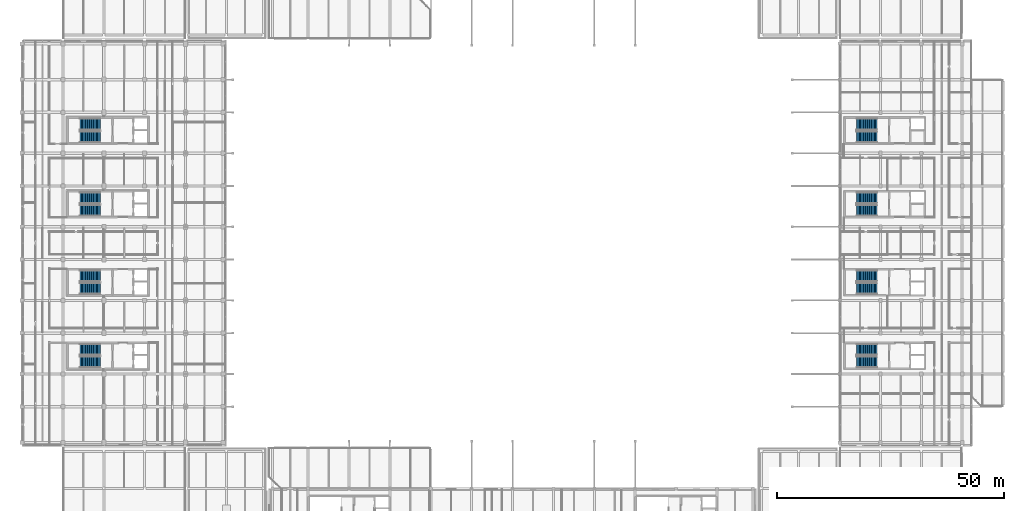
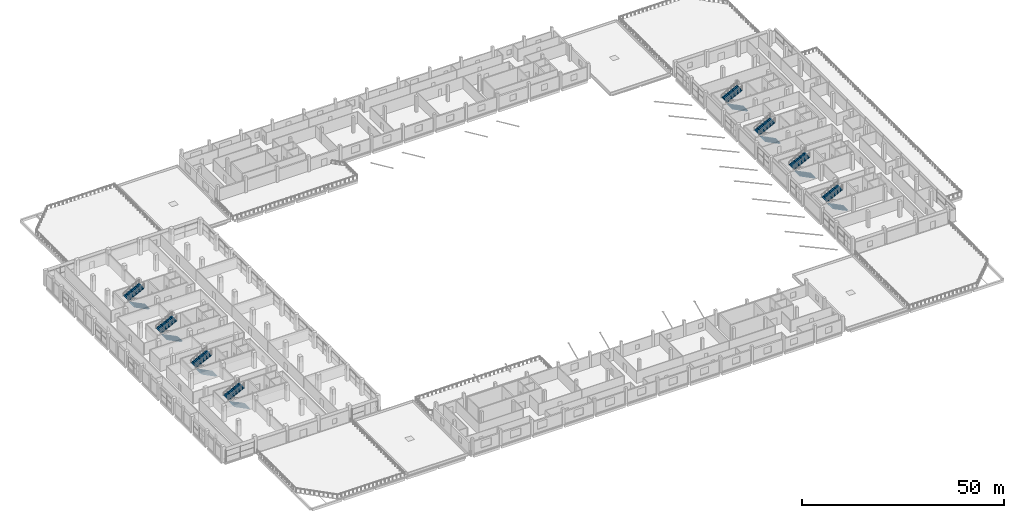
# One storey, part 62 of 82: 16 stair flights, 8 elements without a shape of their own.
"""IFC4 building model written with IfcOpenShell, lengths in metres."""

import ifcopenshell
import ifcopenshell.guid

model = None  # the IFC model being written
_history = None  # IfcOwnerHistory: only IFC2X3 demands one
_inside = {}  # id of a spatial element -> (the spatial element, [elements in it])
_under = {}  # id of a project, library or spatial element -> (it, [spatial elements below it])
_declared = {}  # id of a project -> (the project, [libraries it declares])
_typed = {}  # id of a type object -> (the type object, [elements of that type])
_made_of = {}  # id of a material, layer set ... -> (it, [elements and type objects made of it])


def new_model(schema):
    """Start an empty IFC model of exactly this schema.

    Asked for "IFC4X3", IfcOpenShell would pick the latest addendum, in which some entities
    have other attributes; the version numbers below select the first issue.
    IFC2X3 requires an IfcOwnerHistory on every rooted entity: one is made here for all.
    """
    global model, _history
    if schema == "IFC4X3":
        model = ifcopenshell.file(schema_version=(4, 3, 0, 0))
    else:
        model = ifcopenshell.file(schema=schema)
    _inside.clear()
    _under.clear()
    _declared.clear()
    _typed.clear()
    _made_of.clear()
    _history = None
    if model.schema == "IFC2X3":
        org = make("IfcOrganization", Name="unknown")
        user = make(
            "IfcPersonAndOrganization",
            ThePerson=make("IfcPerson", FamilyName="unknown"),
            TheOrganization=org,
        )
        app = make(
            "IfcApplication",
            ApplicationDeveloper=org,
            Version="unknown",
            ApplicationFullName="unknown",
            ApplicationIdentifier="unknown",
        )
        _history = make(
            "IfcOwnerHistory",
            OwningUser=user,
            OwningApplication=app,
            ChangeAction="ADDED",
            CreationDate=0,
        )
    return model


def make(cls, **values):
    """One entity of the class cls with the attributes given. An attribute that is None is left unset."""
    return model.create_entity(
        cls, **{name: value for name, value in values.items() if value is not None}
    )


def rooted(cls, **values):
    """An entity with a GlobalId (a new one), such as an element, a storey or a relation."""
    return make(cls, GlobalId=ifcopenshell.guid.new(), OwnerHistory=_history, **values)


def si_unit(unit_type, name, prefix=None):
    """IfcSIUnit, for example si_unit("LENGTHUNIT", "METRE", prefix="MILLI")."""
    return make("IfcSIUnit", UnitType=unit_type, Prefix=prefix, Name=name)


def assignment(units):
    """IfcUnitAssignment: the units of a project."""
    return None if units is None else make("IfcUnitAssignment", Units=units)


def point(xyz):
    """IfcCartesianPoint."""
    return None if xyz is None else make("IfcCartesianPoint", Coordinates=xyz)


def direction(xyz):
    """IfcDirection."""
    return None if xyz is None else make("IfcDirection", DirectionRatios=xyz)


def frame(location, z_axis=None, x_axis=None):
    """IfcAxis2Placement3D, a coordinate frame: its origin and axes. An axis left out is left unset."""
    return make(
        "IfcAxis2Placement3D",
        Location=point(location),
        Axis=direction(z_axis),
        RefDirection=direction(x_axis),
    )


def origin():
    """The frame at (0, 0, 0) with its axes left unset."""
    return frame((0.0, 0.0, 0.0))


def place(relative_to, where):
    """IfcLocalPlacement: puts the frame where relative to a parent placement (None: the world)."""
    return make(
        "IfcLocalPlacement", PlacementRelTo=relative_to, RelativePlacement=where
    )


def context(
    kind, dimensions, precision=None, world=None, true_north=None, identifier=None
):
    """IfcGeometricRepresentationContext, for example the 3D "Model" context."""
    return make(
        "IfcGeometricRepresentationContext",
        ContextIdentifier=identifier,
        ContextType=kind,
        CoordinateSpaceDimension=dimensions,
        Precision=precision,
        WorldCoordinateSystem=world,
        TrueNorth=true_north,
    )


def subcontext(parent, identifier, kind, view, scale=None):
    """IfcGeometricRepresentationSubContext, for example "Body" below "Model"."""
    return make(
        "IfcGeometricRepresentationSubContext",
        ContextIdentifier=identifier,
        ContextType=kind,
        ParentContext=parent,
        TargetScale=scale,
        TargetView=view,
    )


def project(units=None, contexts=None):
    """IfcProject with its units and contexts."""
    return rooted(
        "IfcProject",
        Name="project",
        RepresentationContexts=contexts,
        UnitsInContext=assignment(units),
    )


def spatial(cls, under=None, at=None, **own):
    """A site, building, storey or space (cls), placed at a placement, below another one or the project."""
    s = rooted(cls, ObjectPlacement=at, **own)
    if under is not None:
        _under.setdefault(under.id(), (under, []))[1].append(s)
    return s


def polyline(points):
    """IfcPolyline through the points."""
    return make("IfcPolyline", Points=[point(p) for p in points])


def outline(outer, holes=None, kind="AREA"):
    """IfcArbitraryClosedProfileDef: a profile drawn as a closed curve; with holes, ...WithVoids."""
    if holes is None:
        return make("IfcArbitraryClosedProfileDef", ProfileType=kind, OuterCurve=outer)
    return make(
        "IfcArbitraryProfileDefWithVoids",
        ProfileType=kind,
        OuterCurve=outer,
        InnerCurves=holes,
    )


def extrude(swept, where, along, depth):
    """IfcExtrudedAreaSolid: the profile swept, set in the frame where, extruded along a direction by depth."""
    return make(
        "IfcExtrudedAreaSolid",
        SweptArea=swept,
        Position=where,
        ExtrudedDirection=direction(along),
        Depth=depth,
    )


def shape(context_of_items, identifier, shape_type, items):
    """IfcShapeRepresentation: the items that make up one representation, for example the "Body"."""
    return make(
        "IfcShapeRepresentation",
        ContextOfItems=context_of_items,
        RepresentationIdentifier=identifier,
        RepresentationType=shape_type,
        Items=items,
    )


def material(Name=None, Category=None):
    """IfcMaterial."""
    return make("IfcMaterial", Name=Name, Category=Category)


def made_of(thing, what):
    """Note that an element or type object is made of a material, layer set ...; save() writes the relation."""
    if what is not None:
        _made_of.setdefault(what.id(), (what, []))[1].append(thing)
    return thing


def type_object(cls, material=None, **own):
    """A type object (cls), such as IfcWallType, which elements share."""
    return made_of(rooted(cls, **own), material)


def element(
    cls,
    number,
    at=None,
    inside=None,
    cuts=None,
    type_object=None,
    material=None,
    context=None,
    identifier="Body",
    shape_type=None,
    held_by="IfcProductDefinitionShape",
    body=None,
    shapes=None,
    **own,
):
    """One element of the class cls, such as IfcWall. Its Tag is "e" and its number.

    at: its placement. inside: the storey or other place that contains it. cuts: it is an
    opening in that element (IfcRelVoidsElement). A single representation is given by context,
    identifier, shape_type and body (its items); several are given by shapes. held_by: the class
    of the entity that holds the representations. save() writes the other relations.
    """
    e = rooted(cls, Tag="e%d" % number, ObjectPlacement=at, **own)
    if body is not None:
        shapes = [shape(context, identifier, shape_type, body)]
    if shapes is not None:
        e.Representation = make(held_by, Representations=shapes)
    if inside is not None:
        _inside.setdefault(inside.id(), (inside, []))[1].append(e)
    if cuts is not None:
        rooted(
            "IfcRelVoidsElement", RelatingBuildingElement=cuts, RelatedOpeningElement=e
        )
    if type_object is not None:
        _typed.setdefault(type_object.id(), (type_object, []))[1].append(e)
    return made_of(e, material)


def aggregate(whole, parts):
    """IfcRelAggregates: a whole, such as a stair, and the parts it consists of."""
    return rooted("IfcRelAggregates", RelatingObject=whole, RelatedObjects=parts)


def save(model, path):
    """Write the relations noted so far, then the file.

    IfcRelAggregates (storeys below a building ...), IfcRelContainedInSpatialStructure (elements
    in a storey), IfcRelDefinesByType, IfcRelAssociatesMaterial and IfcRelDeclares: one each for
    every whole, place, type object, material and project.
    """
    for whole, parts in _under.values():
        aggregate(whole, parts)
    for where, things in _inside.values():
        rooted(
            "IfcRelContainedInSpatialStructure",
            RelatedElements=things,
            RelatingStructure=where,
        )
    for kind, things in _typed.values():
        rooted("IfcRelDefinesByType", RelatedObjects=things, RelatingType=kind)
    for what, things in _made_of.values():
        rooted("IfcRelAssociatesMaterial", RelatedObjects=things, RelatingMaterial=what)
    for by, libraries in _declared.values():
        rooted("IfcRelDeclares", RelatingContext=by, RelatedDefinitions=libraries)
    model.write(path)


model = new_model("IFC4")

# Units and contexts
model_context = context("Model", 3, precision=1e-05, world=origin(), true_north=direction((0.0, 1.0)))
body_context = subcontext(model_context, "Body", "Model", "MODEL_VIEW")
ifc_project = project(units=[si_unit("LENGTHUNIT", "METRE"), si_unit("AREAUNIT", "SQUARE_METRE"), si_unit("VOLUMEUNIT", "CUBIC_METRE"), si_unit("PLANEANGLEUNIT", "RADIAN"), si_unit("MASSUNIT", "GRAM", prefix="KILO"), si_unit("THERMODYNAMICTEMPERATUREUNIT", "KELVIN"), si_unit("POWERUNIT", "WATT")], contexts=[model_context])

# Site, building, storey
site_placement = place(None, origin())
site = spatial("IfcSite", under=ifc_project, at=site_placement, CompositionType="ELEMENT")
building_placement = place(site_placement, origin())
building = spatial("IfcBuilding", under=site, at=building_placement, Name="Sindhuravela Promenade Stadium", CompositionType="ELEMENT")
storey_placement = place(building_placement, frame((0.0, 0.0, 14.39990234375)))
storey = spatial("IfcBuildingStorey", under=building, at=storey_placement, Name="L03", CompositionType="ELEMENT", Elevation=14.39990234375)

# Stair, stair flights
ifc_material = material(Name="Concrete M40", Category="concrete")
stair_type = type_object("IfcStairType", Name="ST-CORE-DOGLEG", PredefinedType="HALF_TURN_STAIR", material=ifc_material)
stair_1_placement = place(storey_placement, origin())
stair_1 = element("IfcStair", 1, at=stair_1_placement, inside=storey, type_object=stair_type, Name="Protected escape stair ST01 (L03)", PredefinedType="HALF_TURN_STAIR")
stair_flight_type = type_object("IfcStairFlightType", Name="SF-CORE-2400", PredefinedType="STRAIGHT", material=ifc_material)
stair_flight_1_placement = place(storey_placement, frame((17.25, 54.7900390625, 0.0), z_axis=(0.0, 0.0, 1.0), x_axis=(-1.0, 0.0, 0.0)))
stair_flight_1 = element("IfcStairFlight", 2, at=stair_flight_1_placement, type_object=stair_flight_type, Name="Stair ST01 lower flight (L03)", NumberOfRisers=16, NumberOfTreads=15, PredefinedType="STRAIGHT", RiserHeight=0.15, TreadLength=0.3, context=body_context, shape_type="SweptSolid", body=[
    extrude(outline(polyline([(0.0, 0.0), (0.0, 0.14990234375), (0.300048828125, 0.14990234375), (0.300048828125, 0.300048828125), (0.60009765625, 0.300048828125), (0.60009765625, 0.449951171875), (0.89990234375, 0.449951171875), (0.89990234375, 0.60009765625), (1.199951171875, 0.60009765625), (1.199951171875, 0.75), (1.5, 0.75), (1.5, 0.89990234375), (1.800048828125, 0.89990234375), (1.800048828125, 1.050048828125), (2.10009765625, 1.050048828125), (2.10009765625, 1.199951171875), (2.39990234375, 1.199951171875), (2.39990234375, 1.35009765625), (2.699951171875, 1.35009765625), (2.699951171875, 1.5), (3.0, 1.5), (3.0, 1.64990234375), (3.300048828125, 1.64990234375), (3.300048828125, 1.800048828125), (3.60009765625, 1.800048828125), (3.60009765625, 1.949951171875), (3.89990234375, 1.949951171875), (3.89990234375, 2.10009765625), (4.199951171875, 2.10009765625), (4.199951171875, 2.25), (4.5, 2.25), (4.5, 2.39990234375), (4.5, 2.0263671875), (0.447021484375, 0.0), (0.0, 0.0)])), frame((0.0, 1.25, 0.0), z_axis=(0.0, -1.0, 0.0), x_axis=(1.0, 0.0, 0.0)), (0.0, 0.0, 1.0), 2.5),
])
stair_flight_2_placement = place(storey_placement, frame((12.75, 57.610107421875, 2.400146484375), z_axis=(0.0, 0.0, 1.0), x_axis=(1.0, 0.0, 0.0)))
stair_flight_2 = element("IfcStairFlight", 3, at=stair_flight_2_placement, type_object=stair_flight_type, Name="Stair ST01 upper flight (L03)", NumberOfRisers=16, NumberOfTreads=15, PredefinedType="STRAIGHT", RiserHeight=0.15, TreadLength=0.3, context=body_context, shape_type="SweptSolid", body=[
    extrude(outline(polyline([(0.0, 0.0), (0.0, 0.14990234375), (0.300048828125, 0.14990234375), (0.300048828125, 0.300048828125), (0.60009765625, 0.300048828125), (0.60009765625, 0.449951171875), (0.89990234375, 0.449951171875), (0.89990234375, 0.60009765625), (1.199951171875, 0.60009765625), (1.199951171875, 0.75), (1.5, 0.75), (1.5, 0.89990234375), (1.800048828125, 0.89990234375), (1.800048828125, 1.050048828125), (2.10009765625, 1.050048828125), (2.10009765625, 1.199951171875), (2.39990234375, 1.199951171875), (2.39990234375, 1.35009765625), (2.699951171875, 1.35009765625), (2.699951171875, 1.5), (3.0, 1.5), (3.0, 1.64990234375), (3.300048828125, 1.64990234375), (3.300048828125, 1.800048828125), (3.60009765625, 1.800048828125), (3.60009765625, 1.949951171875), (3.89990234375, 1.949951171875), (3.89990234375, 2.10009765625), (4.199951171875, 2.10009765625), (4.199951171875, 2.25), (4.5, 2.25), (4.5, 2.39990234375), (4.5, 2.0263671875), (0.447021484375, 0.0), (0.0, 0.0)])), frame((0.0, 1.25, 0.0), z_axis=(0.0, -1.0, 0.0), x_axis=(1.0, 0.0, 0.0)), (0.0, 0.0, 1.0), 2.5),
])
aggregate(stair_1, [stair_flight_1, stair_flight_2])

stair_2_placement = place(storey_placement, origin())
stair_2 = element("IfcStair", 4, at=stair_2_placement, inside=storey, type_object=stair_type, Name="Protected escape stair ST02 (L03)", PredefinedType="HALF_TURN_STAIR")
stair_flight_3_placement = place(storey_placement, frame((17.25, 70.989990234375, 0.0), z_axis=(0.0, 0.0, 1.0), x_axis=(-1.0, 0.0, 0.0)))
stair_flight_3 = element("IfcStairFlight", 5, at=stair_flight_3_placement, type_object=stair_flight_type, Name="Stair ST02 lower flight (L03)", NumberOfRisers=16, NumberOfTreads=15, PredefinedType="STRAIGHT", RiserHeight=0.15, TreadLength=0.3, context=body_context, shape_type="SweptSolid", body=[
    extrude(outline(polyline([(0.0, 0.0), (0.0, 0.14990234375), (0.300048828125, 0.14990234375), (0.300048828125, 0.300048828125), (0.60009765625, 0.300048828125), (0.60009765625, 0.449951171875), (0.89990234375, 0.449951171875), (0.89990234375, 0.60009765625), (1.199951171875, 0.60009765625), (1.199951171875, 0.75), (1.5, 0.75), (1.5, 0.89990234375), (1.800048828125, 0.89990234375), (1.800048828125, 1.050048828125), (2.10009765625, 1.050048828125), (2.10009765625, 1.199951171875), (2.39990234375, 1.199951171875), (2.39990234375, 1.35009765625), (2.699951171875, 1.35009765625), (2.699951171875, 1.5), (3.0, 1.5), (3.0, 1.64990234375), (3.300048828125, 1.64990234375), (3.300048828125, 1.800048828125), (3.60009765625, 1.800048828125), (3.60009765625, 1.949951171875), (3.89990234375, 1.949951171875), (3.89990234375, 2.10009765625), (4.199951171875, 2.10009765625), (4.199951171875, 2.25), (4.5, 2.25), (4.5, 2.39990234375), (4.5, 2.0263671875), (0.447021484375, 0.0), (0.0, 0.0)])), frame((0.0, 1.25, 0.0), z_axis=(0.0, -1.0, 0.0), x_axis=(1.0, 0.0, 0.0)), (0.0, 0.0, 1.0), 2.5),
])
stair_flight_4_placement = place(storey_placement, frame((12.75, 73.81005859375, 2.400146484375), z_axis=(0.0, 0.0, 1.0), x_axis=(1.0, 0.0, 0.0)))
stair_flight_4 = element("IfcStairFlight", 6, at=stair_flight_4_placement, type_object=stair_flight_type, Name="Stair ST02 upper flight (L03)", NumberOfRisers=16, NumberOfTreads=15, PredefinedType="STRAIGHT", RiserHeight=0.15, TreadLength=0.3, context=body_context, shape_type="SweptSolid", body=[
    extrude(outline(polyline([(0.0, 0.0), (0.0, 0.14990234375), (0.300048828125, 0.14990234375), (0.300048828125, 0.300048828125), (0.60009765625, 0.300048828125), (0.60009765625, 0.449951171875), (0.89990234375, 0.449951171875), (0.89990234375, 0.60009765625), (1.199951171875, 0.60009765625), (1.199951171875, 0.75), (1.5, 0.75), (1.5, 0.89990234375), (1.800048828125, 0.89990234375), (1.800048828125, 1.050048828125), (2.10009765625, 1.050048828125), (2.10009765625, 1.199951171875), (2.39990234375, 1.199951171875), (2.39990234375, 1.35009765625), (2.699951171875, 1.35009765625), (2.699951171875, 1.5), (3.0, 1.5), (3.0, 1.64990234375), (3.300048828125, 1.64990234375), (3.300048828125, 1.800048828125), (3.60009765625, 1.800048828125), (3.60009765625, 1.949951171875), (3.89990234375, 1.949951171875), (3.89990234375, 2.10009765625), (4.199951171875, 2.10009765625), (4.199951171875, 2.25), (4.5, 2.25), (4.5, 2.39990234375), (4.5, 2.0263671875), (0.447021484375, 0.0), (0.0, 0.0)])), frame((0.0, 1.25, 0.0), z_axis=(0.0, -1.0, 0.0), x_axis=(1.0, 0.0, 0.0)), (0.0, 0.0, 1.0), 2.5),
])
aggregate(stair_2, [stair_flight_3, stair_flight_4])

stair_3_placement = place(storey_placement, origin())
stair_3 = element("IfcStair", 7, at=stair_3_placement, inside=storey, type_object=stair_type, Name="Protected escape stair ST03 (L03)", PredefinedType="HALF_TURN_STAIR")
stair_flight_5_placement = place(storey_placement, frame((17.25, 88.18994140625, 0.0), z_axis=(0.0, 0.0, 1.0), x_axis=(-1.0, 0.0, 0.0)))
stair_flight_5 = element("IfcStairFlight", 8, at=stair_flight_5_placement, type_object=stair_flight_type, Name="Stair ST03 lower flight (L03)", NumberOfRisers=16, NumberOfTreads=15, PredefinedType="STRAIGHT", RiserHeight=0.15, TreadLength=0.3, context=body_context, shape_type="SweptSolid", body=[
    extrude(outline(polyline([(0.0, 0.0), (0.0, 0.14990234375), (0.300048828125, 0.14990234375), (0.300048828125, 0.300048828125), (0.60009765625, 0.300048828125), (0.60009765625, 0.449951171875), (0.89990234375, 0.449951171875), (0.89990234375, 0.60009765625), (1.199951171875, 0.60009765625), (1.199951171875, 0.75), (1.5, 0.75), (1.5, 0.89990234375), (1.800048828125, 0.89990234375), (1.800048828125, 1.050048828125), (2.10009765625, 1.050048828125), (2.10009765625, 1.199951171875), (2.39990234375, 1.199951171875), (2.39990234375, 1.35009765625), (2.699951171875, 1.35009765625), (2.699951171875, 1.5), (3.0, 1.5), (3.0, 1.64990234375), (3.300048828125, 1.64990234375), (3.300048828125, 1.800048828125), (3.60009765625, 1.800048828125), (3.60009765625, 1.949951171875), (3.89990234375, 1.949951171875), (3.89990234375, 2.10009765625), (4.199951171875, 2.10009765625), (4.199951171875, 2.25), (4.5, 2.25), (4.5, 2.39990234375), (4.5, 2.0263671875), (0.447021484375, 0.0), (0.0, 0.0)])), frame((0.0, 1.25, 0.0), z_axis=(0.0, -1.0, 0.0), x_axis=(1.0, 0.0, 0.0)), (0.0, 0.0, 1.0), 2.5),
])
stair_flight_6_placement = place(storey_placement, frame((12.75, 91.010009765625, 2.400146484375), z_axis=(0.0, 0.0, 1.0), x_axis=(1.0, 0.0, 0.0)))
stair_flight_6 = element("IfcStairFlight", 9, at=stair_flight_6_placement, type_object=stair_flight_type, Name="Stair ST03 upper flight (L03)", NumberOfRisers=16, NumberOfTreads=15, PredefinedType="STRAIGHT", RiserHeight=0.15, TreadLength=0.3, context=body_context, shape_type="SweptSolid", body=[
    extrude(outline(polyline([(0.0, 0.0), (0.0, 0.14990234375), (0.300048828125, 0.14990234375), (0.300048828125, 0.300048828125), (0.60009765625, 0.300048828125), (0.60009765625, 0.449951171875), (0.89990234375, 0.449951171875), (0.89990234375, 0.60009765625), (1.199951171875, 0.60009765625), (1.199951171875, 0.75), (1.5, 0.75), (1.5, 0.89990234375), (1.800048828125, 0.89990234375), (1.800048828125, 1.050048828125), (2.10009765625, 1.050048828125), (2.10009765625, 1.199951171875), (2.39990234375, 1.199951171875), (2.39990234375, 1.35009765625), (2.699951171875, 1.35009765625), (2.699951171875, 1.5), (3.0, 1.5), (3.0, 1.64990234375), (3.300048828125, 1.64990234375), (3.300048828125, 1.800048828125), (3.60009765625, 1.800048828125), (3.60009765625, 1.949951171875), (3.89990234375, 1.949951171875), (3.89990234375, 2.10009765625), (4.199951171875, 2.10009765625), (4.199951171875, 2.25), (4.5, 2.25), (4.5, 2.39990234375), (4.5, 2.0263671875), (0.447021484375, 0.0), (0.0, 0.0)])), frame((0.0, 1.25, 0.0), z_axis=(0.0, -1.0, 0.0), x_axis=(1.0, 0.0, 0.0)), (0.0, 0.0, 1.0), 2.5),
])
aggregate(stair_3, [stair_flight_5, stair_flight_6])

stair_4_placement = place(storey_placement, origin())
stair_4 = element("IfcStair", 10, at=stair_4_placement, inside=storey, type_object=stair_type, Name="Protected escape stair ST04 (L03)", PredefinedType="HALF_TURN_STAIR")
stair_flight_7_placement = place(storey_placement, frame((17.25, 104.389892578125, 0.0), z_axis=(0.0, 0.0, 1.0), x_axis=(-1.0, 0.0, 0.0)))
stair_flight_7 = element("IfcStairFlight", 11, at=stair_flight_7_placement, type_object=stair_flight_type, Name="Stair ST04 lower flight (L03)", NumberOfRisers=16, NumberOfTreads=15, PredefinedType="STRAIGHT", RiserHeight=0.15, TreadLength=0.3, context=body_context, shape_type="SweptSolid", body=[
    extrude(outline(polyline([(0.0, 0.0), (0.0, 0.14990234375), (0.300048828125, 0.14990234375), (0.300048828125, 0.300048828125), (0.60009765625, 0.300048828125), (0.60009765625, 0.449951171875), (0.89990234375, 0.449951171875), (0.89990234375, 0.60009765625), (1.199951171875, 0.60009765625), (1.199951171875, 0.75), (1.5, 0.75), (1.5, 0.89990234375), (1.800048828125, 0.89990234375), (1.800048828125, 1.050048828125), (2.10009765625, 1.050048828125), (2.10009765625, 1.199951171875), (2.39990234375, 1.199951171875), (2.39990234375, 1.35009765625), (2.699951171875, 1.35009765625), (2.699951171875, 1.5), (3.0, 1.5), (3.0, 1.64990234375), (3.300048828125, 1.64990234375), (3.300048828125, 1.800048828125), (3.60009765625, 1.800048828125), (3.60009765625, 1.949951171875), (3.89990234375, 1.949951171875), (3.89990234375, 2.10009765625), (4.199951171875, 2.10009765625), (4.199951171875, 2.25), (4.5, 2.25), (4.5, 2.39990234375), (4.5, 2.0263671875), (0.447021484375, 0.0), (0.0, 0.0)])), frame((0.0, 1.25, 0.0), z_axis=(0.0, -1.0, 0.0), x_axis=(1.0, 0.0, 0.0)), (0.0, 0.0, 1.0), 2.5),
])
stair_flight_8_placement = place(storey_placement, frame((12.75, 107.2099609375, 2.400146484375), z_axis=(0.0, 0.0, 1.0), x_axis=(1.0, 0.0, 0.0)))
stair_flight_8 = element("IfcStairFlight", 12, at=stair_flight_8_placement, type_object=stair_flight_type, Name="Stair ST04 upper flight (L03)", NumberOfRisers=16, NumberOfTreads=15, PredefinedType="STRAIGHT", RiserHeight=0.15, TreadLength=0.3, context=body_context, shape_type="SweptSolid", body=[
    extrude(outline(polyline([(0.0, 0.0), (0.0, 0.14990234375), (0.300048828125, 0.14990234375), (0.300048828125, 0.300048828125), (0.60009765625, 0.300048828125), (0.60009765625, 0.449951171875), (0.89990234375, 0.449951171875), (0.89990234375, 0.60009765625), (1.199951171875, 0.60009765625), (1.199951171875, 0.75), (1.5, 0.75), (1.5, 0.89990234375), (1.800048828125, 0.89990234375), (1.800048828125, 1.050048828125), (2.10009765625, 1.050048828125), (2.10009765625, 1.199951171875), (2.39990234375, 1.199951171875), (2.39990234375, 1.35009765625), (2.699951171875, 1.35009765625), (2.699951171875, 1.5), (3.0, 1.5), (3.0, 1.64990234375), (3.300048828125, 1.64990234375), (3.300048828125, 1.800048828125), (3.60009765625, 1.800048828125), (3.60009765625, 1.949951171875), (3.89990234375, 1.949951171875), (3.89990234375, 2.10009765625), (4.199951171875, 2.10009765625), (4.199951171875, 2.25), (4.5, 2.25), (4.5, 2.39990234375), (4.5, 2.0263671875), (0.447021484375, 0.0), (0.0, 0.0)])), frame((0.0, 1.25, 0.0), z_axis=(0.0, -1.0, 0.0), x_axis=(1.0, 0.0, 0.0)), (0.0, 0.0, 1.0), 2.5),
])
aggregate(stair_4, [stair_flight_7, stair_flight_8])

stair_5_placement = place(storey_placement, origin())
stair_5 = element("IfcStair", 13, at=stair_5_placement, inside=storey, type_object=stair_type, Name="Protected escape stair ST05 (L03)", PredefinedType="HALF_TURN_STAIR")
stair_flight_9_placement = place(storey_placement, frame((188.25, 54.7900390625, 0.0), z_axis=(0.0, 0.0, 1.0), x_axis=(-1.0, 0.0, 0.0)))
stair_flight_9 = element("IfcStairFlight", 14, at=stair_flight_9_placement, type_object=stair_flight_type, Name="Stair ST05 lower flight (L03)", NumberOfRisers=16, NumberOfTreads=15, PredefinedType="STRAIGHT", RiserHeight=0.15, TreadLength=0.3, context=body_context, shape_type="SweptSolid", body=[
    extrude(outline(polyline([(0.0, 0.0), (0.0, 0.14990234375), (0.300048828125, 0.14990234375), (0.300048828125, 0.300048828125), (0.60009765625, 0.300048828125), (0.60009765625, 0.449951171875), (0.89990234375, 0.449951171875), (0.89990234375, 0.60009765625), (1.199951171875, 0.60009765625), (1.199951171875, 0.75), (1.5, 0.75), (1.5, 0.89990234375), (1.800048828125, 0.89990234375), (1.800048828125, 1.050048828125), (2.10009765625, 1.050048828125), (2.10009765625, 1.199951171875), (2.39990234375, 1.199951171875), (2.39990234375, 1.35009765625), (2.699951171875, 1.35009765625), (2.699951171875, 1.5), (3.0, 1.5), (3.0, 1.64990234375), (3.300048828125, 1.64990234375), (3.300048828125, 1.800048828125), (3.60009765625, 1.800048828125), (3.60009765625, 1.949951171875), (3.89990234375, 1.949951171875), (3.89990234375, 2.10009765625), (4.199951171875, 2.10009765625), (4.199951171875, 2.25), (4.5, 2.25), (4.5, 2.39990234375), (4.5, 2.0263671875), (0.447021484375, 0.0), (0.0, 0.0)])), frame((0.0, 1.25, 0.0), z_axis=(0.0, -1.0, 0.0), x_axis=(1.0, 0.0, 0.0)), (0.0, 0.0, 1.0), 2.5),
])
stair_flight_10_placement = place(storey_placement, frame((183.75, 57.610107421875, 2.400146484375), z_axis=(0.0, 0.0, 1.0), x_axis=(1.0, 0.0, 0.0)))
stair_flight_10 = element("IfcStairFlight", 15, at=stair_flight_10_placement, type_object=stair_flight_type, Name="Stair ST05 upper flight (L03)", NumberOfRisers=16, NumberOfTreads=15, PredefinedType="STRAIGHT", RiserHeight=0.15, TreadLength=0.3, context=body_context, shape_type="SweptSolid", body=[
    extrude(outline(polyline([(0.0, 0.0), (0.0, 0.14990234375), (0.300048828125, 0.14990234375), (0.300048828125, 0.300048828125), (0.60009765625, 0.300048828125), (0.60009765625, 0.449951171875), (0.89990234375, 0.449951171875), (0.89990234375, 0.60009765625), (1.199951171875, 0.60009765625), (1.199951171875, 0.75), (1.5, 0.75), (1.5, 0.89990234375), (1.800048828125, 0.89990234375), (1.800048828125, 1.050048828125), (2.10009765625, 1.050048828125), (2.10009765625, 1.199951171875), (2.39990234375, 1.199951171875), (2.39990234375, 1.35009765625), (2.699951171875, 1.35009765625), (2.699951171875, 1.5), (3.0, 1.5), (3.0, 1.64990234375), (3.300048828125, 1.64990234375), (3.300048828125, 1.800048828125), (3.60009765625, 1.800048828125), (3.60009765625, 1.949951171875), (3.89990234375, 1.949951171875), (3.89990234375, 2.10009765625), (4.199951171875, 2.10009765625), (4.199951171875, 2.25), (4.5, 2.25), (4.5, 2.39990234375), (4.5, 2.0263671875), (0.447021484375, 0.0), (0.0, 0.0)])), frame((0.0, 1.25, 0.0), z_axis=(0.0, -1.0, 0.0), x_axis=(1.0, 0.0, 0.0)), (0.0, 0.0, 1.0), 2.5),
])
aggregate(stair_5, [stair_flight_9, stair_flight_10])

stair_6_placement = place(storey_placement, origin())
stair_6 = element("IfcStair", 16, at=stair_6_placement, inside=storey, type_object=stair_type, Name="Protected escape stair ST06 (L03)", PredefinedType="HALF_TURN_STAIR")
stair_flight_11_placement = place(storey_placement, frame((188.25, 70.989990234375, 0.0), z_axis=(0.0, 0.0, 1.0), x_axis=(-1.0, 0.0, 0.0)))
stair_flight_11 = element("IfcStairFlight", 17, at=stair_flight_11_placement, type_object=stair_flight_type, Name="Stair ST06 lower flight (L03)", NumberOfRisers=16, NumberOfTreads=15, PredefinedType="STRAIGHT", RiserHeight=0.15, TreadLength=0.3, context=body_context, shape_type="SweptSolid", body=[
    extrude(outline(polyline([(0.0, 0.0), (0.0, 0.14990234375), (0.300048828125, 0.14990234375), (0.300048828125, 0.300048828125), (0.60009765625, 0.300048828125), (0.60009765625, 0.449951171875), (0.89990234375, 0.449951171875), (0.89990234375, 0.60009765625), (1.199951171875, 0.60009765625), (1.199951171875, 0.75), (1.5, 0.75), (1.5, 0.89990234375), (1.800048828125, 0.89990234375), (1.800048828125, 1.050048828125), (2.10009765625, 1.050048828125), (2.10009765625, 1.199951171875), (2.39990234375, 1.199951171875), (2.39990234375, 1.35009765625), (2.699951171875, 1.35009765625), (2.699951171875, 1.5), (3.0, 1.5), (3.0, 1.64990234375), (3.300048828125, 1.64990234375), (3.300048828125, 1.800048828125), (3.60009765625, 1.800048828125), (3.60009765625, 1.949951171875), (3.89990234375, 1.949951171875), (3.89990234375, 2.10009765625), (4.199951171875, 2.10009765625), (4.199951171875, 2.25), (4.5, 2.25), (4.5, 2.39990234375), (4.5, 2.0263671875), (0.447021484375, 0.0), (0.0, 0.0)])), frame((0.0, 1.25, 0.0), z_axis=(0.0, -1.0, 0.0), x_axis=(1.0, 0.0, 0.0)), (0.0, 0.0, 1.0), 2.5),
])
stair_flight_12_placement = place(storey_placement, frame((183.75, 73.81005859375, 2.400146484375), z_axis=(0.0, 0.0, 1.0), x_axis=(1.0, 0.0, 0.0)))
stair_flight_12 = element("IfcStairFlight", 18, at=stair_flight_12_placement, type_object=stair_flight_type, Name="Stair ST06 upper flight (L03)", NumberOfRisers=16, NumberOfTreads=15, PredefinedType="STRAIGHT", RiserHeight=0.15, TreadLength=0.3, context=body_context, shape_type="SweptSolid", body=[
    extrude(outline(polyline([(0.0, 0.0), (0.0, 0.14990234375), (0.300048828125, 0.14990234375), (0.300048828125, 0.300048828125), (0.60009765625, 0.300048828125), (0.60009765625, 0.449951171875), (0.89990234375, 0.449951171875), (0.89990234375, 0.60009765625), (1.199951171875, 0.60009765625), (1.199951171875, 0.75), (1.5, 0.75), (1.5, 0.89990234375), (1.800048828125, 0.89990234375), (1.800048828125, 1.050048828125), (2.10009765625, 1.050048828125), (2.10009765625, 1.199951171875), (2.39990234375, 1.199951171875), (2.39990234375, 1.35009765625), (2.699951171875, 1.35009765625), (2.699951171875, 1.5), (3.0, 1.5), (3.0, 1.64990234375), (3.300048828125, 1.64990234375), (3.300048828125, 1.800048828125), (3.60009765625, 1.800048828125), (3.60009765625, 1.949951171875), (3.89990234375, 1.949951171875), (3.89990234375, 2.10009765625), (4.199951171875, 2.10009765625), (4.199951171875, 2.25), (4.5, 2.25), (4.5, 2.39990234375), (4.5, 2.0263671875), (0.447021484375, 0.0), (0.0, 0.0)])), frame((0.0, 1.25, 0.0), z_axis=(0.0, -1.0, 0.0), x_axis=(1.0, 0.0, 0.0)), (0.0, 0.0, 1.0), 2.5),
])
aggregate(stair_6, [stair_flight_11, stair_flight_12])

stair_7_placement = place(storey_placement, origin())
stair_7 = element("IfcStair", 19, at=stair_7_placement, inside=storey, type_object=stair_type, Name="Protected escape stair ST07 (L03)", PredefinedType="HALF_TURN_STAIR")
stair_flight_13_placement = place(storey_placement, frame((188.25, 88.18994140625, 0.0), z_axis=(0.0, 0.0, 1.0), x_axis=(-1.0, 0.0, 0.0)))
stair_flight_13 = element("IfcStairFlight", 20, at=stair_flight_13_placement, type_object=stair_flight_type, Name="Stair ST07 lower flight (L03)", NumberOfRisers=16, NumberOfTreads=15, PredefinedType="STRAIGHT", RiserHeight=0.15, TreadLength=0.3, context=body_context, shape_type="SweptSolid", body=[
    extrude(outline(polyline([(0.0, 0.0), (0.0, 0.14990234375), (0.300048828125, 0.14990234375), (0.300048828125, 0.300048828125), (0.60009765625, 0.300048828125), (0.60009765625, 0.449951171875), (0.89990234375, 0.449951171875), (0.89990234375, 0.60009765625), (1.199951171875, 0.60009765625), (1.199951171875, 0.75), (1.5, 0.75), (1.5, 0.89990234375), (1.800048828125, 0.89990234375), (1.800048828125, 1.050048828125), (2.10009765625, 1.050048828125), (2.10009765625, 1.199951171875), (2.39990234375, 1.199951171875), (2.39990234375, 1.35009765625), (2.699951171875, 1.35009765625), (2.699951171875, 1.5), (3.0, 1.5), (3.0, 1.64990234375), (3.300048828125, 1.64990234375), (3.300048828125, 1.800048828125), (3.60009765625, 1.800048828125), (3.60009765625, 1.949951171875), (3.89990234375, 1.949951171875), (3.89990234375, 2.10009765625), (4.199951171875, 2.10009765625), (4.199951171875, 2.25), (4.5, 2.25), (4.5, 2.39990234375), (4.5, 2.0263671875), (0.447021484375, 0.0), (0.0, 0.0)])), frame((0.0, 1.25, 0.0), z_axis=(0.0, -1.0, 0.0), x_axis=(1.0, 0.0, 0.0)), (0.0, 0.0, 1.0), 2.5),
])
stair_flight_14_placement = place(storey_placement, frame((183.75, 91.010009765625, 2.400146484375), z_axis=(0.0, 0.0, 1.0), x_axis=(1.0, 0.0, 0.0)))
stair_flight_14 = element("IfcStairFlight", 21, at=stair_flight_14_placement, type_object=stair_flight_type, Name="Stair ST07 upper flight (L03)", NumberOfRisers=16, NumberOfTreads=15, PredefinedType="STRAIGHT", RiserHeight=0.15, TreadLength=0.3, context=body_context, shape_type="SweptSolid", body=[
    extrude(outline(polyline([(0.0, 0.0), (0.0, 0.14990234375), (0.300048828125, 0.14990234375), (0.300048828125, 0.300048828125), (0.60009765625, 0.300048828125), (0.60009765625, 0.449951171875), (0.89990234375, 0.449951171875), (0.89990234375, 0.60009765625), (1.199951171875, 0.60009765625), (1.199951171875, 0.75), (1.5, 0.75), (1.5, 0.89990234375), (1.800048828125, 0.89990234375), (1.800048828125, 1.050048828125), (2.10009765625, 1.050048828125), (2.10009765625, 1.199951171875), (2.39990234375, 1.199951171875), (2.39990234375, 1.35009765625), (2.699951171875, 1.35009765625), (2.699951171875, 1.5), (3.0, 1.5), (3.0, 1.64990234375), (3.300048828125, 1.64990234375), (3.300048828125, 1.800048828125), (3.60009765625, 1.800048828125), (3.60009765625, 1.949951171875), (3.89990234375, 1.949951171875), (3.89990234375, 2.10009765625), (4.199951171875, 2.10009765625), (4.199951171875, 2.25), (4.5, 2.25), (4.5, 2.39990234375), (4.5, 2.0263671875), (0.447021484375, 0.0), (0.0, 0.0)])), frame((0.0, 1.25, 0.0), z_axis=(0.0, -1.0, 0.0), x_axis=(1.0, 0.0, 0.0)), (0.0, 0.0, 1.0), 2.5),
])
aggregate(stair_7, [stair_flight_13, stair_flight_14])

stair_8_placement = place(storey_placement, origin())
stair_8 = element("IfcStair", 22, at=stair_8_placement, inside=storey, type_object=stair_type, Name="Protected escape stair ST08 (L03)", PredefinedType="HALF_TURN_STAIR")
stair_flight_15_placement = place(storey_placement, frame((188.25, 104.389892578125, 0.0), z_axis=(0.0, 0.0, 1.0), x_axis=(-1.0, 0.0, 0.0)))
stair_flight_15 = element("IfcStairFlight", 23, at=stair_flight_15_placement, type_object=stair_flight_type, Name="Stair ST08 lower flight (L03)", NumberOfRisers=16, NumberOfTreads=15, PredefinedType="STRAIGHT", RiserHeight=0.15, TreadLength=0.3, context=body_context, shape_type="SweptSolid", body=[
    extrude(outline(polyline([(0.0, 0.0), (0.0, 0.14990234375), (0.300048828125, 0.14990234375), (0.300048828125, 0.300048828125), (0.60009765625, 0.300048828125), (0.60009765625, 0.449951171875), (0.89990234375, 0.449951171875), (0.89990234375, 0.60009765625), (1.199951171875, 0.60009765625), (1.199951171875, 0.75), (1.5, 0.75), (1.5, 0.89990234375), (1.800048828125, 0.89990234375), (1.800048828125, 1.050048828125), (2.10009765625, 1.050048828125), (2.10009765625, 1.199951171875), (2.39990234375, 1.199951171875), (2.39990234375, 1.35009765625), (2.699951171875, 1.35009765625), (2.699951171875, 1.5), (3.0, 1.5), (3.0, 1.64990234375), (3.300048828125, 1.64990234375), (3.300048828125, 1.800048828125), (3.60009765625, 1.800048828125), (3.60009765625, 1.949951171875), (3.89990234375, 1.949951171875), (3.89990234375, 2.10009765625), (4.199951171875, 2.10009765625), (4.199951171875, 2.25), (4.5, 2.25), (4.5, 2.39990234375), (4.5, 2.0263671875), (0.447021484375, 0.0), (0.0, 0.0)])), frame((0.0, 1.25, 0.0), z_axis=(0.0, -1.0, 0.0), x_axis=(1.0, 0.0, 0.0)), (0.0, 0.0, 1.0), 2.5),
])
stair_flight_16_placement = place(storey_placement, frame((183.75, 107.2099609375, 2.400146484375), z_axis=(0.0, 0.0, 1.0), x_axis=(1.0, 0.0, 0.0)))
stair_flight_16 = element("IfcStairFlight", 24, at=stair_flight_16_placement, type_object=stair_flight_type, Name="Stair ST08 upper flight (L03)", NumberOfRisers=16, NumberOfTreads=15, PredefinedType="STRAIGHT", RiserHeight=0.15, TreadLength=0.3, context=body_context, shape_type="SweptSolid", body=[
    extrude(outline(polyline([(0.0, 0.0), (0.0, 0.14990234375), (0.300048828125, 0.14990234375), (0.300048828125, 0.300048828125), (0.60009765625, 0.300048828125), (0.60009765625, 0.449951171875), (0.89990234375, 0.449951171875), (0.89990234375, 0.60009765625), (1.199951171875, 0.60009765625), (1.199951171875, 0.75), (1.5, 0.75), (1.5, 0.89990234375), (1.800048828125, 0.89990234375), (1.800048828125, 1.050048828125), (2.10009765625, 1.050048828125), (2.10009765625, 1.199951171875), (2.39990234375, 1.199951171875), (2.39990234375, 1.35009765625), (2.699951171875, 1.35009765625), (2.699951171875, 1.5), (3.0, 1.5), (3.0, 1.64990234375), (3.300048828125, 1.64990234375), (3.300048828125, 1.800048828125), (3.60009765625, 1.800048828125), (3.60009765625, 1.949951171875), (3.89990234375, 1.949951171875), (3.89990234375, 2.10009765625), (4.199951171875, 2.10009765625), (4.199951171875, 2.25), (4.5, 2.25), (4.5, 2.39990234375), (4.5, 2.0263671875), (0.447021484375, 0.0), (0.0, 0.0)])), frame((0.0, 1.25, 0.0), z_axis=(0.0, -1.0, 0.0), x_axis=(1.0, 0.0, 0.0)), (0.0, 0.0, 1.0), 2.5),
])
aggregate(stair_8, [stair_flight_15, stair_flight_16])

save(model, "model.ifc")
